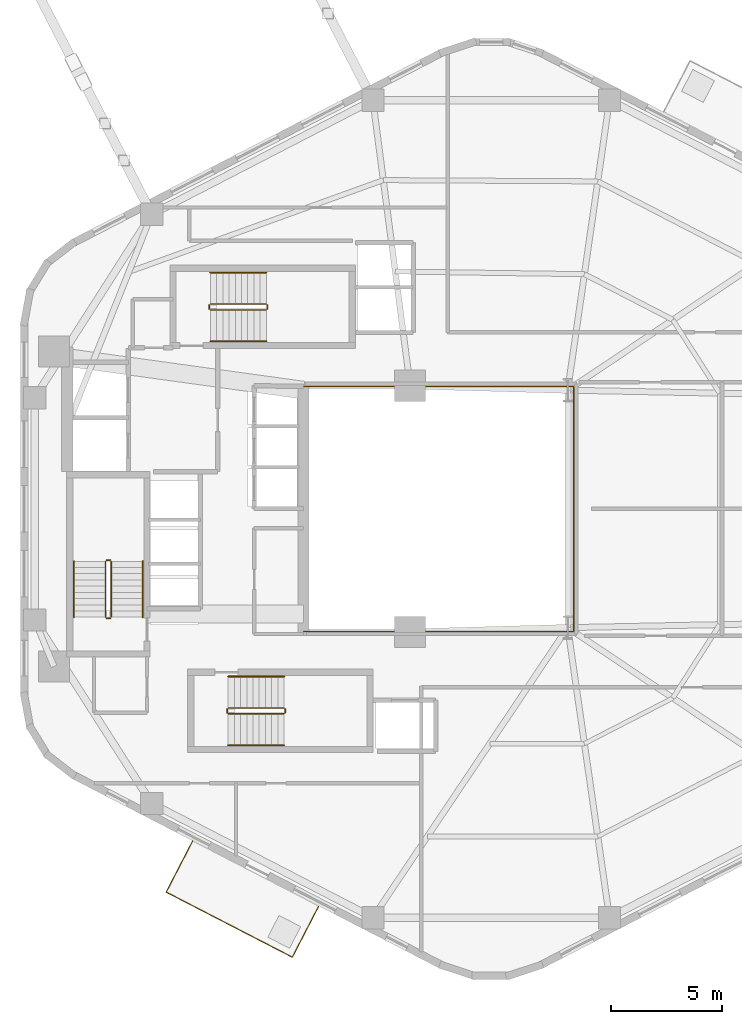
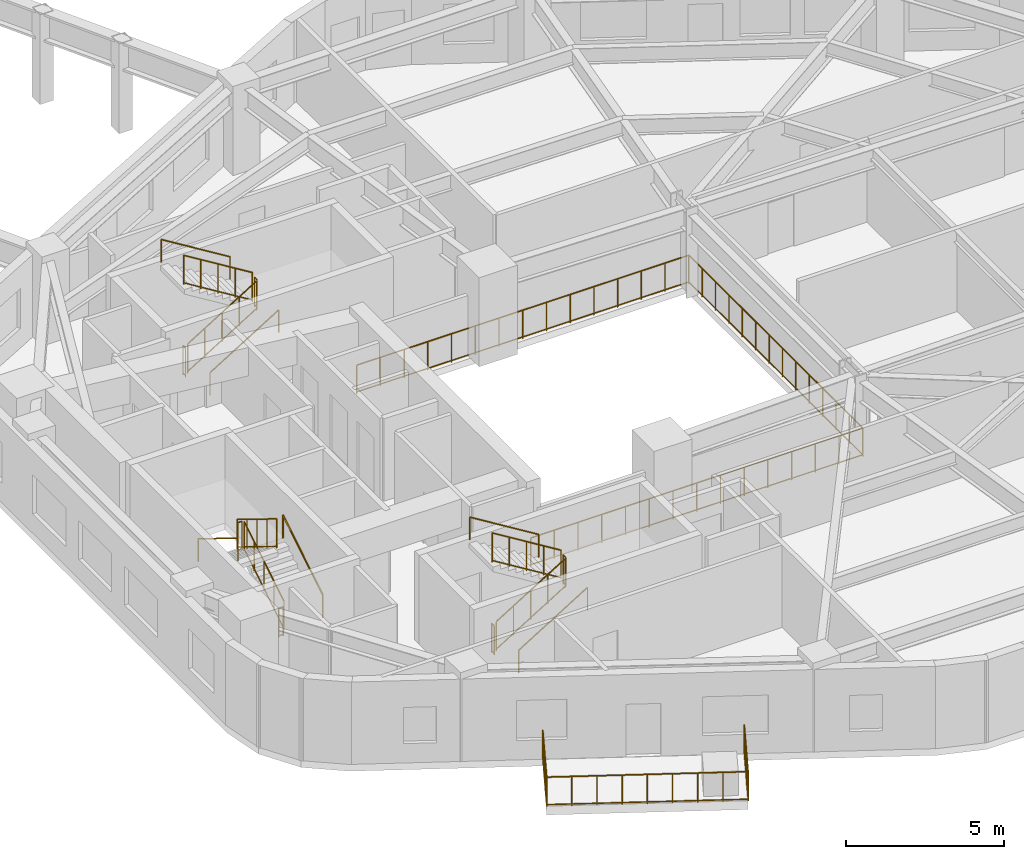
# One storey, part 7 of 8: 20 railings.
"""IFC4 building model written with IfcOpenShell, lengths in metres."""

from ifc_helpers import new_model, si_unit, direction, frame, origin, origin_2d, place, context, subcontext, project, spatial, circle, extrude, material, type_object, element, save


model = new_model("IFC4")

# Units and contexts
model_context = context("Model", 3, precision=1e-05, world=origin(), true_north=direction((0.0, 1.0)))
body_context = subcontext(model_context, "Body", "Model", "MODEL_VIEW")
ifc_project = project(units=[si_unit("LENGTHUNIT", "METRE"), si_unit("AREAUNIT", "SQUARE_METRE"), si_unit("VOLUMEUNIT", "CUBIC_METRE"), si_unit("PLANEANGLEUNIT", "RADIAN"), si_unit("MASSUNIT", "GRAM", prefix="KILO"), si_unit("THERMODYNAMICTEMPERATUREUNIT", "KELVIN"), si_unit("POWERUNIT", "WATT")], contexts=[model_context])

# Site, building, storey
site_placement = place(None, origin())
site = spatial("IfcSite", under=ifc_project, at=site_placement, CompositionType="ELEMENT")
building_placement = place(site_placement, origin())
building = spatial("IfcBuilding", under=site, at=building_placement, Name="Skarre Station Tower", CompositionType="ELEMENT")
storey_placement = place(building_placement, frame((0.0, 0.0, 132.60009765625)))
storey = spatial("IfcBuildingStorey", under=building, at=storey_placement, Name="L35", CompositionType="ELEMENT", Elevation=132.60009765625)

# Railings
ifc_material_1 = material(Name="Bronze Anodized Steel & Laminated Glass Balustrade", Category="steel")
railing_type_1 = type_object("IfcRailingType", Name="Atrium Void & Mezzanine Guard Balustrade 1120", PredefinedType="GUARDRAIL", material=ifc_material_1)
railing_1_placement = place(storey_placement, frame((27.550048828125, 18.47998046875, 0.0)))
element("IfcRailing", 1, at=railing_1_placement, inside=storey, type_object=railing_type_1, Name="L35 Atrium Void Guard Balustrade", PredefinedType="GUARDRAIL", context=body_context, shape_type="SweptSolid", body=[
    extrude(circle(Radius=0.02392578125, at=origin_2d()), frame((0.0, 0.0, 1.09619140625), z_axis=(1.0, 0.0, 0.0), x_axis=(0.0, 1.0, 0.0)), (0.0, 0.0, 1.0), 12.169921875),
    extrude(circle(Radius=0.02099609375, at=origin_2d()), frame((0.0, 0.0, 0.06005859375), z_axis=(1.0, 0.0, 0.0), x_axis=(0.0, 1.0, 0.0)), (0.0, 0.0, 1.0), 12.169921875),
    extrude(circle(Radius=0.02392578125, at=origin_2d()), frame((12.169921875, 0.0, 1.09619140625), z_axis=(0.0, 1.0, 0.0), x_axis=(-1.0, 0.0, 0.0)), (0.0, 0.0, 1.0), 11.0400390625),
    extrude(circle(Radius=0.02099609375, at=origin_2d()), frame((12.169921875, 0.0, 0.06005859375), z_axis=(0.0, 1.0, 0.0), x_axis=(-1.0, 0.0, 0.0)), (0.0, 0.0, 1.0), 11.0400390625),
    extrude(circle(Radius=0.02392578125, at=origin_2d()), frame((12.169921875, 11.0400390625, 1.09619140625), z_axis=(-1.0, 0.0, 0.0), x_axis=(0.0, -1.0, 0.0)), (0.0, 0.0, 1.0), 12.169921875),
    extrude(circle(Radius=0.02099609375, at=origin_2d()), frame((12.169921875, 11.0400390625, 0.06005859375), z_axis=(-1.0, 0.0, 0.0), x_axis=(0.0, -1.0, 0.0)), (0.0, 0.0, 1.0), 12.169921875),
    extrude(circle(Radius=0.02099609375, at=origin_2d()), origin(), (0.0, 0.0, 1.0), 1.072021484375),
    extrude(circle(Radius=0.02099609375, at=origin_2d()), frame((0.869384765625, 0.0, 0.0)), (0.0, 0.0, 1.0), 1.072021484375),
    extrude(circle(Radius=0.02099609375, at=origin_2d()), frame((1.738525390625, 0.0, 0.0)), (0.0, 0.0, 1.0), 1.072021484375),
    extrude(circle(Radius=0.02099609375, at=origin_2d()), frame((2.60791015625, 0.0, 0.0)), (0.0, 0.0, 1.0), 1.072021484375),
    extrude(circle(Radius=0.02099609375, at=origin_2d()), frame((3.47705078125, 0.0, 0.0)), (0.0, 0.0, 1.0), 1.072021484375),
    extrude(circle(Radius=0.02099609375, at=origin_2d()), frame((4.346435546875, 0.0, 0.0)), (0.0, 0.0, 1.0), 1.072021484375),
    extrude(circle(Radius=0.02099609375, at=origin_2d()), frame((5.215576171875, 0.0, 0.0)), (0.0, 0.0, 1.0), 1.072021484375),
    extrude(circle(Radius=0.02099609375, at=origin_2d()), frame((6.0849609375, 0.0, 0.0)), (0.0, 0.0, 1.0), 1.072021484375),
    extrude(circle(Radius=0.02099609375, at=origin_2d()), frame((6.954345703125, 0.0, 0.0)), (0.0, 0.0, 1.0), 1.072021484375),
    extrude(circle(Radius=0.02099609375, at=origin_2d()), frame((7.823486328125, 0.0, 0.0)), (0.0, 0.0, 1.0), 1.072021484375),
    extrude(circle(Radius=0.02099609375, at=origin_2d()), frame((8.69287109375, 0.0, 0.0)), (0.0, 0.0, 1.0), 1.072021484375),
    extrude(circle(Radius=0.02099609375, at=origin_2d()), frame((9.56201171875, 0.0, 0.0)), (0.0, 0.0, 1.0), 1.072021484375),
    extrude(circle(Radius=0.02099609375, at=origin_2d()), frame((10.431396484375, 0.0, 0.0)), (0.0, 0.0, 1.0), 1.072021484375),
    extrude(circle(Radius=0.02099609375, at=origin_2d()), frame((11.300537109375, 0.0, 0.0)), (0.0, 0.0, 1.0), 1.072021484375),
    extrude(circle(Radius=0.02099609375, at=origin_2d()), frame((12.169921875, 0.0, 0.0)), (0.0, 0.0, 1.0), 1.072021484375),
    extrude(circle(Radius=0.02099609375, at=origin_2d()), frame((12.169921875, 0.84912109375, 0.0)), (0.0, 0.0, 1.0), 1.072021484375),
    extrude(circle(Radius=0.02099609375, at=origin_2d()), frame((12.169921875, 1.698486328125, 0.0)), (0.0, 0.0, 1.0), 1.072021484375),
    extrude(circle(Radius=0.02099609375, at=origin_2d()), frame((12.169921875, 2.547607421875, 0.0)), (0.0, 0.0, 1.0), 1.072021484375),
    extrude(circle(Radius=0.02099609375, at=origin_2d()), frame((12.169921875, 3.39697265625, 0.0)), (0.0, 0.0, 1.0), 1.072021484375),
    extrude(circle(Radius=0.02099609375, at=origin_2d()), frame((12.169921875, 4.24609375, 0.0)), (0.0, 0.0, 1.0), 1.072021484375),
    extrude(circle(Radius=0.02099609375, at=origin_2d()), frame((12.169921875, 5.095458984375, 0.0)), (0.0, 0.0, 1.0), 1.072021484375),
    extrude(circle(Radius=0.02099609375, at=origin_2d()), frame((12.169921875, 5.944580078125, 0.0)), (0.0, 0.0, 1.0), 1.072021484375),
    extrude(circle(Radius=0.02099609375, at=origin_2d()), frame((12.169921875, 6.7939453125, 0.0)), (0.0, 0.0, 1.0), 1.072021484375),
    extrude(circle(Radius=0.02099609375, at=origin_2d()), frame((12.169921875, 7.64306640625, 0.0)), (0.0, 0.0, 1.0), 1.072021484375),
    extrude(circle(Radius=0.02099609375, at=origin_2d()), frame((12.169921875, 8.492431640625, 0.0)), (0.0, 0.0, 1.0), 1.072021484375),
    extrude(circle(Radius=0.02099609375, at=origin_2d()), frame((12.169921875, 9.341552734375, 0.0)), (0.0, 0.0, 1.0), 1.072021484375),
    extrude(circle(Radius=0.02099609375, at=origin_2d()), frame((12.169921875, 10.19091796875, 0.0)), (0.0, 0.0, 1.0), 1.072021484375),
    extrude(circle(Radius=0.02099609375, at=origin_2d()), frame((12.169921875, 11.0400390625, 0.0)), (0.0, 0.0, 1.0), 1.072021484375),
    extrude(circle(Radius=0.02099609375, at=origin_2d()), frame((11.300537109375, 11.0400390625, 0.0)), (0.0, 0.0, 1.0), 1.072021484375),
    extrude(circle(Radius=0.02099609375, at=origin_2d()), frame((10.431396484375, 11.0400390625, 0.0)), (0.0, 0.0, 1.0), 1.072021484375),
    extrude(circle(Radius=0.02099609375, at=origin_2d()), frame((9.56201171875, 11.0400390625, 0.0)), (0.0, 0.0, 1.0), 1.072021484375),
    extrude(circle(Radius=0.02099609375, at=origin_2d()), frame((8.69287109375, 11.0400390625, 0.0)), (0.0, 0.0, 1.0), 1.072021484375),
    extrude(circle(Radius=0.02099609375, at=origin_2d()), frame((7.823486328125, 11.0400390625, 0.0)), (0.0, 0.0, 1.0), 1.072021484375),
    extrude(circle(Radius=0.02099609375, at=origin_2d()), frame((6.954345703125, 11.0400390625, 0.0)), (0.0, 0.0, 1.0), 1.072021484375),
    extrude(circle(Radius=0.02099609375, at=origin_2d()), frame((6.0849609375, 11.0400390625, 0.0)), (0.0, 0.0, 1.0), 1.072021484375),
    extrude(circle(Radius=0.02099609375, at=origin_2d()), frame((5.215576171875, 11.0400390625, 0.0)), (0.0, 0.0, 1.0), 1.072021484375),
    extrude(circle(Radius=0.02099609375, at=origin_2d()), frame((4.346435546875, 11.0400390625, 0.0)), (0.0, 0.0, 1.0), 1.072021484375),
    extrude(circle(Radius=0.02099609375, at=origin_2d()), frame((3.47705078125, 11.0400390625, 0.0)), (0.0, 0.0, 1.0), 1.072021484375),
    extrude(circle(Radius=0.02099609375, at=origin_2d()), frame((2.60791015625, 11.0400390625, 0.0)), (0.0, 0.0, 1.0), 1.072021484375),
    extrude(circle(Radius=0.02099609375, at=origin_2d()), frame((1.738525390625, 11.0400390625, 0.0)), (0.0, 0.0, 1.0), 1.072021484375),
    extrude(circle(Radius=0.02099609375, at=origin_2d()), frame((0.869384765625, 11.0400390625, 0.0)), (0.0, 0.0, 1.0), 1.072021484375),
    extrude(circle(Radius=0.02099609375, at=origin_2d()), frame((0.0, 11.0400390625, 0.0)), (0.0, 0.0, 1.0), 1.072021484375),
])
ifc_material_2 = material(Name="Stainless Steel Grade 316L & Laminated Safety Glass", Category="steel")
railing_type_2 = type_object("IfcRailingType", Name="Laminated Glass & Stainless Terrace Guardrail 1150", PredefinedType="BALUSTRADE", material=ifc_material_2)
railing_2_placement = place(storey_placement, frame((22.54296875, 9.033935546875, 0.0)))
element("IfcRailing", 2, at=railing_2_placement, inside=storey, type_object=railing_type_2, Name="L35 TB-L35-F3 Tree-Balcony Guardrail", PredefinedType="BALUSTRADE", context=body_context, shape_type="SweptSolid", body=[
    extrude(circle(Radius=0.02392578125, at=origin_2d()), frame((0.0, 0.0, 1.1259765625), z_axis=(-0.458599707136, -0.888642959019, 0.0), x_axis=(0.888642959019, -0.458599707136, 0.0)), (0.0, 0.0, 1.0), 2.590576171875),
    extrude(circle(Radius=0.02099609375, at=origin_2d()), frame((0.0, 0.0, 0.06005859375), z_axis=(-0.458599707136, -0.888642959019, 0.0), x_axis=(0.888642959019, -0.458599707136, 0.0)), (0.0, 0.0, 1.0), 2.590576171875),
    extrude(circle(Radius=0.02392578125, at=origin_2d()), frame((-1.18798828125, -2.302001953125, 1.1259765625), z_axis=(0.888647237743, -0.458591416026, 0.0), x_axis=(0.458591416026, 0.888647237743, 0.0)), (0.0, 0.0, 1.0), 6.399658203125),
    extrude(circle(Radius=0.02099609375, at=origin_2d()), frame((-1.18798828125, -2.302001953125, 0.06005859375), z_axis=(0.888647237743, -0.458591416026, 0.0), x_axis=(0.458591416026, 0.888647237743, 0.0)), (0.0, 0.0, 1.0), 6.399658203125),
    extrude(circle(Radius=0.02392578125, at=origin_2d()), frame((4.4990234375, -5.23681640625, 1.1259765625), z_axis=(0.458791817331, 0.888543790902, 0.0), x_axis=(-0.888543790902, 0.458791817331, 0.0)), (0.0, 0.0, 1.0), 2.58935546875),
    extrude(circle(Radius=0.02099609375, at=origin_2d()), frame((4.4990234375, -5.23681640625, 0.06005859375), z_axis=(0.458791817331, 0.888543790902, 0.0), x_axis=(-0.888543790902, 0.458791817331, 0.0)), (0.0, 0.0, 1.0), 2.58935546875),
    extrude(circle(Radius=0.02099609375, at=origin_2d()), origin(), (0.0, 0.0, 1.0), 1.101806640625),
    extrude(circle(Radius=0.02099609375, at=origin_2d()), frame((-0.39599609375, -0.767333984375, 0.0)), (0.0, 0.0, 1.0), 1.101806640625),
    extrude(circle(Radius=0.02099609375, at=origin_2d()), frame((-0.7919921875, -1.53466796875, 0.0)), (0.0, 0.0, 1.0), 1.101806640625),
    extrude(circle(Radius=0.02099609375, at=origin_2d()), frame((-1.18798828125, -2.302001953125, 0.0)), (0.0, 0.0, 1.0), 1.101806640625),
    extrude(circle(Radius=0.02099609375, at=origin_2d()), frame((-0.47705078125, -2.6689453125, 0.0)), (0.0, 0.0, 1.0), 1.101806640625),
    extrude(circle(Radius=0.02099609375, at=origin_2d()), frame((0.23388671875, -3.03564453125, 0.0)), (0.0, 0.0, 1.0), 1.101806640625),
    extrude(circle(Radius=0.02099609375, at=origin_2d()), frame((0.944580078125, -3.402587890625, 0.0)), (0.0, 0.0, 1.0), 1.101806640625),
    extrude(circle(Radius=0.02099609375, at=origin_2d()), frame((1.655517578125, -3.76953125, 0.0)), (0.0, 0.0, 1.0), 1.101806640625),
    extrude(circle(Radius=0.02099609375, at=origin_2d()), frame((2.366455078125, -4.13623046875, 0.0)), (0.0, 0.0, 1.0), 1.101806640625),
    extrude(circle(Radius=0.02099609375, at=origin_2d()), frame((3.0771484375, -4.503173828125, 0.0)), (0.0, 0.0, 1.0), 1.101806640625),
    extrude(circle(Radius=0.02099609375, at=origin_2d()), frame((3.7880859375, -4.869873046875, 0.0)), (0.0, 0.0, 1.0), 1.101806640625),
    extrude(circle(Radius=0.02099609375, at=origin_2d()), frame((4.4990234375, -5.23681640625, 0.0)), (0.0, 0.0, 1.0), 1.101806640625),
    extrude(circle(Radius=0.02099609375, at=origin_2d()), frame((4.89501953125, -4.469970703125, 0.0)), (0.0, 0.0, 1.0), 1.101806640625),
    extrude(circle(Radius=0.02099609375, at=origin_2d()), frame((5.291015625, -3.702880859375, 0.0)), (0.0, 0.0, 1.0), 1.101806640625),
    extrude(circle(Radius=0.02099609375, at=origin_2d()), frame((5.68701171875, -2.93603515625, 0.0)), (0.0, 0.0, 1.0), 1.101806640625),
])
ifc_material_3 = material(Name="Powder-Coated Tubular Steel", Category="steel")
railing_type_3 = type_object("IfcRailingType", Name="Painted Steel Ramp & Stair Handrail 920", PredefinedType="HANDRAIL", material=ifc_material_3)
railing_3_placement = place(storey_placement, frame((20.300048828125, 19.1201171875, 0.17236328125)))
element("IfcRailing", 3, at=railing_3_placement, inside=storey, type_object=railing_type_3, Name="L35 ST-1 stair handrail 1", PredefinedType="HANDRAIL", context=body_context, shape_type="SweptSolid", body=[
    extrude(circle(Radius=0.02392578125, at=origin_2d()), frame((0.0, 0.0, 0.8759765625), z_axis=(0.0, 0.851377800117, 0.52455299205), x_axis=(-1.0, 0.0, 0.0)), (0.0, 0.0, 1.0), 2.959716796875),
    extrude(circle(Radius=0.02099609375, at=origin_2d()), origin(), (0.0, 0.0, 1.0), 0.851806640625),
    extrude(circle(Radius=0.02099609375, at=origin_2d()), frame((0.0, 2.519775390625, 1.552490234375)), (0.0, 0.0, 1.0), 0.851806640625),
])
railing_4_placement = place(storey_placement, frame((17.199951171875, 21.639892578125, 1.8974609375)))
element("IfcRailing", 4, at=railing_4_placement, inside=storey, type_object=railing_type_3, Name="L35 ST-1 stair handrail 2", PredefinedType="HANDRAIL", context=body_context, shape_type="SweptSolid", body=[
    extrude(circle(Radius=0.02392578125, at=origin_2d()), frame((0.0, 0.0, 0.8759765625), z_axis=(0.0, -0.851377800117, 0.52455299205), x_axis=(1.0, 0.0, 0.0)), (0.0, 0.0, 1.0), 2.959716796875),
    extrude(circle(Radius=0.02099609375, at=origin_2d()), origin(), (0.0, 0.0, 1.0), 0.851806640625),
    extrude(circle(Radius=0.02099609375, at=origin_2d()), frame((0.0, -2.519775390625, 1.552490234375)), (0.0, 0.0, 1.0), 0.851806640625),
])
railing_5_placement = place(storey_placement, frame((24.14990234375, 13.35009765625, 0.17236328125)))
element("IfcRailing", 5, at=railing_5_placement, inside=storey, type_object=railing_type_3, Name="L35 ST-2 stair handrail 1", PredefinedType="HANDRAIL", context=body_context, shape_type="SweptSolid", body=[
    extrude(circle(Radius=0.02392578125, at=origin_2d()), frame((0.0, 0.0, 0.8759765625), z_axis=(0.851400495292, 0.0, 0.524516154772), x_axis=(0.0, 1.0, 0.0)), (0.0, 0.0, 1.0), 2.9599609375),
    extrude(circle(Radius=0.02099609375, at=origin_2d()), origin(), (0.0, 0.0, 1.0), 0.851806640625),
    extrude(circle(Radius=0.02099609375, at=origin_2d()), frame((2.52001953125, 0.0, 1.552490234375)), (0.0, 0.0, 1.0), 0.851806640625),
])
railing_6_placement = place(storey_placement, frame((26.669921875, 16.449951171875, 1.8974609375)))
element("IfcRailing", 6, at=railing_6_placement, inside=storey, type_object=railing_type_3, Name="L35 ST-2 stair handrail 2", PredefinedType="HANDRAIL", context=body_context, shape_type="SweptSolid", body=[
    extrude(circle(Radius=0.02392578125, at=origin_2d()), frame((0.0, 0.0, 0.8759765625), z_axis=(-0.851400495292, 0.0, 0.524516154772), x_axis=(0.0, -1.0, 0.0)), (0.0, 0.0, 1.0), 2.9599609375),
    extrude(circle(Radius=0.02099609375, at=origin_2d()), origin(), (0.0, 0.0, 1.0), 0.851806640625),
    extrude(circle(Radius=0.02099609375, at=origin_2d()), frame((-2.52001953125, 0.0, 1.552490234375)), (0.0, 0.0, 1.0), 0.851806640625),
])
railing_7_placement = place(storey_placement, frame((23.35009765625, 31.550048828125, 0.17236328125)))
element("IfcRailing", 7, at=railing_7_placement, inside=storey, type_object=railing_type_3, Name="L35 ST-3 stair handrail 1", PredefinedType="HANDRAIL", context=body_context, shape_type="SweptSolid", body=[
    extrude(circle(Radius=0.02392578125, at=origin_2d()), frame((0.0, 0.0, 0.8759765625), z_axis=(0.851400495292, 0.0, 0.524516154772), x_axis=(0.0, 1.0, 0.0)), (0.0, 0.0, 1.0), 2.9599609375),
    extrude(circle(Radius=0.02099609375, at=origin_2d()), origin(), (0.0, 0.0, 1.0), 0.851806640625),
    extrude(circle(Radius=0.02099609375, at=origin_2d()), frame((2.52001953125, 0.0, 1.552490234375)), (0.0, 0.0, 1.0), 0.851806640625),
])
railing_8_placement = place(storey_placement, frame((25.8701171875, 34.64990234375, 1.8974609375)))
element("IfcRailing", 8, at=railing_8_placement, inside=storey, type_object=railing_type_3, Name="L35 ST-3 stair handrail 2", PredefinedType="HANDRAIL", context=body_context, shape_type="SweptSolid", body=[
    extrude(circle(Radius=0.02392578125, at=origin_2d()), frame((0.0, 0.0, 0.8759765625), z_axis=(-0.851400495292, 0.0, 0.524516154772), x_axis=(0.0, -1.0, 0.0)), (0.0, 0.0, 1.0), 2.9599609375),
    extrude(circle(Radius=0.02099609375, at=origin_2d()), origin(), (0.0, 0.0, 1.0), 0.851806640625),
    extrude(circle(Radius=0.02099609375, at=origin_2d()), frame((-2.52001953125, 0.0, 1.552490234375)), (0.0, 0.0, 1.0), 0.851806640625),
])
railing_type_4 = type_object("IfcRailingType", Name="Painted Steel Stairwell Guardrail 1100", PredefinedType="GUARDRAIL", material=ifc_material_3)
railing_9_placement = place(storey_placement, frame((18.8798828125, 19.1201171875, 0.17236328125)))
element("IfcRailing", 9, at=railing_9_placement, inside=storey, type_object=railing_type_4, Name="L35 ST-1 stair guard 1", PredefinedType="GUARDRAIL", context=body_context, shape_type="SweptSolid", body=[
    extrude(circle(Radius=0.02392578125, at=origin_2d()), frame((0.0, 0.0, 1.1259765625), z_axis=(0.0, 0.851377800117, 0.52455299205), x_axis=(-1.0, 0.0, 0.0)), (0.0, 0.0, 1.0), 2.959716796875),
    extrude(circle(Radius=0.02099609375, at=origin_2d()), frame((0.0, 0.0, 0.06005859375), z_axis=(0.0, 0.851377800117, 0.52455299205), x_axis=(-1.0, 0.0, 0.0)), (0.0, 0.0, 1.0), 2.959716796875),
    extrude(circle(Radius=0.02099609375, at=origin_2d()), origin(), (0.0, 0.0, 1.0), 1.101806640625),
    extrude(circle(Radius=0.02099609375, at=origin_2d()), frame((0.0, 0.6298828125, 0.38818359375)), (0.0, 0.0, 1.0), 1.101806640625),
    extrude(circle(Radius=0.02099609375, at=origin_2d()), frame((0.0, 1.259765625, 0.7763671875)), (0.0, 0.0, 1.0), 1.101806640625),
    extrude(circle(Radius=0.02099609375, at=origin_2d()), frame((0.0, 1.889892578125, 1.164306640625)), (0.0, 0.0, 1.0), 1.101806640625),
    extrude(circle(Radius=0.02099609375, at=origin_2d()), frame((0.0, 2.519775390625, 1.552490234375)), (0.0, 0.0, 1.0), 1.101806640625),
])
railing_10_placement = place(storey_placement, frame((18.830078125, 21.68994140625, 1.724853515625)))
element("IfcRailing", 10, at=railing_10_placement, inside=storey, type_object=railing_type_4, Name="L35 ST-1 stair guard 2", PredefinedType="GUARDRAIL", context=body_context, shape_type="SweptSolid", body=[
    extrude(circle(Radius=0.02392578125, at=origin_2d()), frame((0.0, 0.0, 1.1259765625), z_axis=(-1.0, 0.0, 0.0), x_axis=(0.0, -1.0, 0.0)), (0.0, 0.0, 1.0), 0.16015625),
    extrude(circle(Radius=0.02099609375, at=origin_2d()), frame((0.0, 0.0, 0.06005859375), z_axis=(-1.0, 0.0, 0.0), x_axis=(0.0, -1.0, 0.0)), (0.0, 0.0, 1.0), 0.16015625),
    extrude(circle(Radius=0.02099609375, at=origin_2d()), origin(), (0.0, 0.0, 1.0), 1.101806640625),
    extrude(circle(Radius=0.02099609375, at=origin_2d()), frame((-0.16015625, 0.0, 0.0)), (0.0, 0.0, 1.0), 1.101806640625),
])
railing_11_placement = place(storey_placement, frame((18.6201171875, 21.639892578125, 1.8974609375)))
element("IfcRailing", 11, at=railing_11_placement, inside=storey, type_object=railing_type_4, Name="L35 ST-1 stair guard 3", PredefinedType="GUARDRAIL", context=body_context, shape_type="SweptSolid", body=[
    extrude(circle(Radius=0.02392578125, at=origin_2d()), frame((0.0, 0.0, 1.1259765625), z_axis=(0.0, -0.851377800117, 0.52455299205), x_axis=(1.0, 0.0, 0.0)), (0.0, 0.0, 1.0), 2.959716796875),
    extrude(circle(Radius=0.02099609375, at=origin_2d()), frame((0.0, 0.0, 0.06005859375), z_axis=(0.0, -0.851377800117, 0.52455299205), x_axis=(1.0, 0.0, 0.0)), (0.0, 0.0, 1.0), 2.959716796875),
    extrude(circle(Radius=0.02099609375, at=origin_2d()), origin(), (0.0, 0.0, 1.0), 1.101806640625),
    extrude(circle(Radius=0.02099609375, at=origin_2d()), frame((0.0, -0.6298828125, 0.38818359375)), (0.0, 0.0, 1.0), 1.101806640625),
    extrude(circle(Radius=0.02099609375, at=origin_2d()), frame((0.0, -1.259765625, 0.7763671875)), (0.0, 0.0, 1.0), 1.101806640625),
    extrude(circle(Radius=0.02099609375, at=origin_2d()), frame((0.0, -1.889892578125, 1.164306640625)), (0.0, 0.0, 1.0), 1.101806640625),
    extrude(circle(Radius=0.02099609375, at=origin_2d()), frame((0.0, -2.519775390625, 1.552490234375)), (0.0, 0.0, 1.0), 1.101806640625),
])
railing_12_placement = place(storey_placement, frame((18.830078125, 19.070068359375, 0.0)))
element("IfcRailing", 12, at=railing_12_placement, inside=storey, type_object=railing_type_4, Name="L35 ST-1 stair guard 4", PredefinedType="GUARDRAIL", context=body_context, shape_type="SweptSolid", body=[
    extrude(circle(Radius=0.02392578125, at=origin_2d()), frame((0.0, 0.0, 1.1259765625), z_axis=(-1.0, 0.0, 0.0), x_axis=(0.0, -1.0, 0.0)), (0.0, 0.0, 1.0), 0.16015625),
    extrude(circle(Radius=0.02099609375, at=origin_2d()), frame((0.0, 0.0, 0.06005859375), z_axis=(-1.0, 0.0, 0.0), x_axis=(0.0, -1.0, 0.0)), (0.0, 0.0, 1.0), 0.16015625),
    extrude(circle(Radius=0.02099609375, at=origin_2d()), origin(), (0.0, 0.0, 1.0), 1.101806640625),
    extrude(circle(Radius=0.02099609375, at=origin_2d()), frame((-0.16015625, 0.0, 0.0)), (0.0, 0.0, 1.0), 1.101806640625),
])
railing_13_placement = place(storey_placement, frame((24.14990234375, 14.77001953125, 0.17236328125)))
element("IfcRailing", 13, at=railing_13_placement, inside=storey, type_object=railing_type_4, Name="L35 ST-2 stair guard 1", PredefinedType="GUARDRAIL", context=body_context, shape_type="SweptSolid", body=[
    extrude(circle(Radius=0.02392578125, at=origin_2d()), frame((0.0, 0.0, 1.1259765625), z_axis=(0.851400495292, 0.0, 0.524516154772), x_axis=(0.0, 1.0, 0.0)), (0.0, 0.0, 1.0), 2.9599609375),
    extrude(circle(Radius=0.02099609375, at=origin_2d()), frame((0.0, 0.0, 0.06005859375), z_axis=(0.851400495292, 0.0, 0.524516154772), x_axis=(0.0, 1.0, 0.0)), (0.0, 0.0, 1.0), 2.9599609375),
    extrude(circle(Radius=0.02099609375, at=origin_2d()), origin(), (0.0, 0.0, 1.0), 1.101806640625),
    extrude(circle(Radius=0.02099609375, at=origin_2d()), frame((0.6298828125, 0.0, 0.38818359375)), (0.0, 0.0, 1.0), 1.101806640625),
    extrude(circle(Radius=0.02099609375, at=origin_2d()), frame((1.260009765625, 0.0, 0.7763671875)), (0.0, 0.0, 1.0), 1.101806640625),
    extrude(circle(Radius=0.02099609375, at=origin_2d()), frame((1.89013671875, 0.0, 1.164306640625)), (0.0, 0.0, 1.0), 1.101806640625),
    extrude(circle(Radius=0.02099609375, at=origin_2d()), frame((2.52001953125, 0.0, 1.552490234375)), (0.0, 0.0, 1.0), 1.101806640625),
])
railing_14_placement = place(storey_placement, frame((26.719970703125, 14.820068359375, 1.724853515625)))
element("IfcRailing", 14, at=railing_14_placement, inside=storey, type_object=railing_type_4, Name="L35 ST-2 stair guard 2", PredefinedType="GUARDRAIL", context=body_context, shape_type="SweptSolid", body=[
    extrude(circle(Radius=0.02392578125, at=origin_2d()), frame((0.0, 0.0, 1.1259765625), z_axis=(0.0, 1.0, 0.0), x_axis=(-1.0, 0.0, 0.0)), (0.0, 0.0, 1.0), 0.159912109375),
    extrude(circle(Radius=0.02099609375, at=origin_2d()), frame((0.0, 0.0, 0.06005859375), z_axis=(0.0, 1.0, 0.0), x_axis=(-1.0, 0.0, 0.0)), (0.0, 0.0, 1.0), 0.159912109375),
    extrude(circle(Radius=0.02099609375, at=origin_2d()), origin(), (0.0, 0.0, 1.0), 1.101806640625),
    extrude(circle(Radius=0.02099609375, at=origin_2d()), frame((0.0, 0.159912109375, 0.0)), (0.0, 0.0, 1.0), 1.101806640625),
])
railing_15_placement = place(storey_placement, frame((26.669921875, 15.030029296875, 1.8974609375)))
element("IfcRailing", 15, at=railing_15_placement, inside=storey, type_object=railing_type_4, Name="L35 ST-2 stair guard 3", PredefinedType="GUARDRAIL", context=body_context, shape_type="SweptSolid", body=[
    extrude(circle(Radius=0.02392578125, at=origin_2d()), frame((0.0, 0.0, 1.1259765625), z_axis=(-0.851400495292, 0.0, 0.524516154772), x_axis=(0.0, -1.0, 0.0)), (0.0, 0.0, 1.0), 2.9599609375),
    extrude(circle(Radius=0.02099609375, at=origin_2d()), frame((0.0, 0.0, 0.06005859375), z_axis=(-0.851400495292, 0.0, 0.524516154772), x_axis=(0.0, -1.0, 0.0)), (0.0, 0.0, 1.0), 2.9599609375),
    extrude(circle(Radius=0.02099609375, at=origin_2d()), origin(), (0.0, 0.0, 1.0), 1.101806640625),
    extrude(circle(Radius=0.02099609375, at=origin_2d()), frame((-0.6298828125, 0.0, 0.38818359375)), (0.0, 0.0, 1.0), 1.101806640625),
    extrude(circle(Radius=0.02099609375, at=origin_2d()), frame((-1.260009765625, 0.0, 0.7763671875)), (0.0, 0.0, 1.0), 1.101806640625),
    extrude(circle(Radius=0.02099609375, at=origin_2d()), frame((-1.89013671875, 0.0, 1.164306640625)), (0.0, 0.0, 1.0), 1.101806640625),
    extrude(circle(Radius=0.02099609375, at=origin_2d()), frame((-2.52001953125, 0.0, 1.552490234375)), (0.0, 0.0, 1.0), 1.101806640625),
])
railing_16_placement = place(storey_placement, frame((24.10009765625, 14.820068359375, 0.0)))
element("IfcRailing", 16, at=railing_16_placement, inside=storey, type_object=railing_type_4, Name="L35 ST-2 stair guard 4", PredefinedType="GUARDRAIL", context=body_context, shape_type="SweptSolid", body=[
    extrude(circle(Radius=0.02392578125, at=origin_2d()), frame((0.0, 0.0, 1.1259765625), z_axis=(0.0, 1.0, 0.0), x_axis=(-1.0, 0.0, 0.0)), (0.0, 0.0, 1.0), 0.159912109375),
    extrude(circle(Radius=0.02099609375, at=origin_2d()), frame((0.0, 0.0, 0.06005859375), z_axis=(0.0, 1.0, 0.0), x_axis=(-1.0, 0.0, 0.0)), (0.0, 0.0, 1.0), 0.159912109375),
    extrude(circle(Radius=0.02099609375, at=origin_2d()), origin(), (0.0, 0.0, 1.0), 1.101806640625),
    extrude(circle(Radius=0.02099609375, at=origin_2d()), frame((0.0, 0.159912109375, 0.0)), (0.0, 0.0, 1.0), 1.101806640625),
])
railing_17_placement = place(storey_placement, frame((23.35009765625, 32.969970703125, 0.17236328125)))
element("IfcRailing", 17, at=railing_17_placement, inside=storey, type_object=railing_type_4, Name="L35 ST-3 stair guard 1", PredefinedType="GUARDRAIL", context=body_context, shape_type="SweptSolid", body=[
    extrude(circle(Radius=0.02392578125, at=origin_2d()), frame((0.0, 0.0, 1.1259765625), z_axis=(0.851400495292, 0.0, 0.524516154772), x_axis=(0.0, 1.0, 0.0)), (0.0, 0.0, 1.0), 2.9599609375),
    extrude(circle(Radius=0.02099609375, at=origin_2d()), frame((0.0, 0.0, 0.06005859375), z_axis=(0.851400495292, 0.0, 0.524516154772), x_axis=(0.0, 1.0, 0.0)), (0.0, 0.0, 1.0), 2.9599609375),
    extrude(circle(Radius=0.02099609375, at=origin_2d()), origin(), (0.0, 0.0, 1.0), 1.101806640625),
    extrude(circle(Radius=0.02099609375, at=origin_2d()), frame((0.6298828125, 0.0, 0.38818359375)), (0.0, 0.0, 1.0), 1.101806640625),
    extrude(circle(Radius=0.02099609375, at=origin_2d()), frame((1.260009765625, 0.0, 0.7763671875)), (0.0, 0.0, 1.0), 1.101806640625),
    extrude(circle(Radius=0.02099609375, at=origin_2d()), frame((1.89013671875, 0.0, 1.164306640625)), (0.0, 0.0, 1.0), 1.101806640625),
    extrude(circle(Radius=0.02099609375, at=origin_2d()), frame((2.52001953125, 0.0, 1.552490234375)), (0.0, 0.0, 1.0), 1.101806640625),
])
railing_18_placement = place(storey_placement, frame((25.919921875, 33.02001953125, 1.724853515625)))
element("IfcRailing", 18, at=railing_18_placement, inside=storey, type_object=railing_type_4, Name="L35 ST-3 stair guard 2", PredefinedType="GUARDRAIL", context=body_context, shape_type="SweptSolid", body=[
    extrude(circle(Radius=0.02392578125, at=origin_2d()), frame((0.0, 0.0, 1.1259765625), z_axis=(0.0, 1.0, 0.0), x_axis=(-1.0, 0.0, 0.0)), (0.0, 0.0, 1.0), 0.159912109375),
    extrude(circle(Radius=0.02099609375, at=origin_2d()), frame((0.0, 0.0, 0.06005859375), z_axis=(0.0, 1.0, 0.0), x_axis=(-1.0, 0.0, 0.0)), (0.0, 0.0, 1.0), 0.159912109375),
    extrude(circle(Radius=0.02099609375, at=origin_2d()), origin(), (0.0, 0.0, 1.0), 1.101806640625),
    extrude(circle(Radius=0.02099609375, at=origin_2d()), frame((0.0, 0.159912109375, 0.0)), (0.0, 0.0, 1.0), 1.101806640625),
])
railing_19_placement = place(storey_placement, frame((25.8701171875, 33.22998046875, 1.8974609375)))
element("IfcRailing", 19, at=railing_19_placement, inside=storey, type_object=railing_type_4, Name="L35 ST-3 stair guard 3", PredefinedType="GUARDRAIL", context=body_context, shape_type="SweptSolid", body=[
    extrude(circle(Radius=0.02392578125, at=origin_2d()), frame((0.0, 0.0, 1.1259765625), z_axis=(-0.851400495292, 0.0, 0.524516154772), x_axis=(0.0, -1.0, 0.0)), (0.0, 0.0, 1.0), 2.9599609375),
    extrude(circle(Radius=0.02099609375, at=origin_2d()), frame((0.0, 0.0, 0.06005859375), z_axis=(-0.851400495292, 0.0, 0.524516154772), x_axis=(0.0, -1.0, 0.0)), (0.0, 0.0, 1.0), 2.9599609375),
    extrude(circle(Radius=0.02099609375, at=origin_2d()), origin(), (0.0, 0.0, 1.0), 1.101806640625),
    extrude(circle(Radius=0.02099609375, at=origin_2d()), frame((-0.6298828125, 0.0, 0.38818359375)), (0.0, 0.0, 1.0), 1.101806640625),
    extrude(circle(Radius=0.02099609375, at=origin_2d()), frame((-1.260009765625, 0.0, 0.7763671875)), (0.0, 0.0, 1.0), 1.101806640625),
    extrude(circle(Radius=0.02099609375, at=origin_2d()), frame((-1.89013671875, 0.0, 1.164306640625)), (0.0, 0.0, 1.0), 1.101806640625),
    extrude(circle(Radius=0.02099609375, at=origin_2d()), frame((-2.52001953125, 0.0, 1.552490234375)), (0.0, 0.0, 1.0), 1.101806640625),
])
railing_20_placement = place(storey_placement, frame((23.300048828125, 33.02001953125, 0.0)))
element("IfcRailing", 20, at=railing_20_placement, inside=storey, type_object=railing_type_4, Name="L35 ST-3 stair guard 4", PredefinedType="GUARDRAIL", context=body_context, shape_type="SweptSolid", body=[
    extrude(circle(Radius=0.02392578125, at=origin_2d()), frame((0.0, 0.0, 1.1259765625), z_axis=(0.0, 1.0, 0.0), x_axis=(-1.0, 0.0, 0.0)), (0.0, 0.0, 1.0), 0.159912109375),
    extrude(circle(Radius=0.02099609375, at=origin_2d()), frame((0.0, 0.0, 0.06005859375), z_axis=(0.0, 1.0, 0.0), x_axis=(-1.0, 0.0, 0.0)), (0.0, 0.0, 1.0), 0.159912109375),
    extrude(circle(Radius=0.02099609375, at=origin_2d()), origin(), (0.0, 0.0, 1.0), 1.101806640625),
    extrude(circle(Radius=0.02099609375, at=origin_2d()), frame((0.0, 0.159912109375, 0.0)), (0.0, 0.0, 1.0), 1.101806640625),
])

save(model, "model.ifc")
